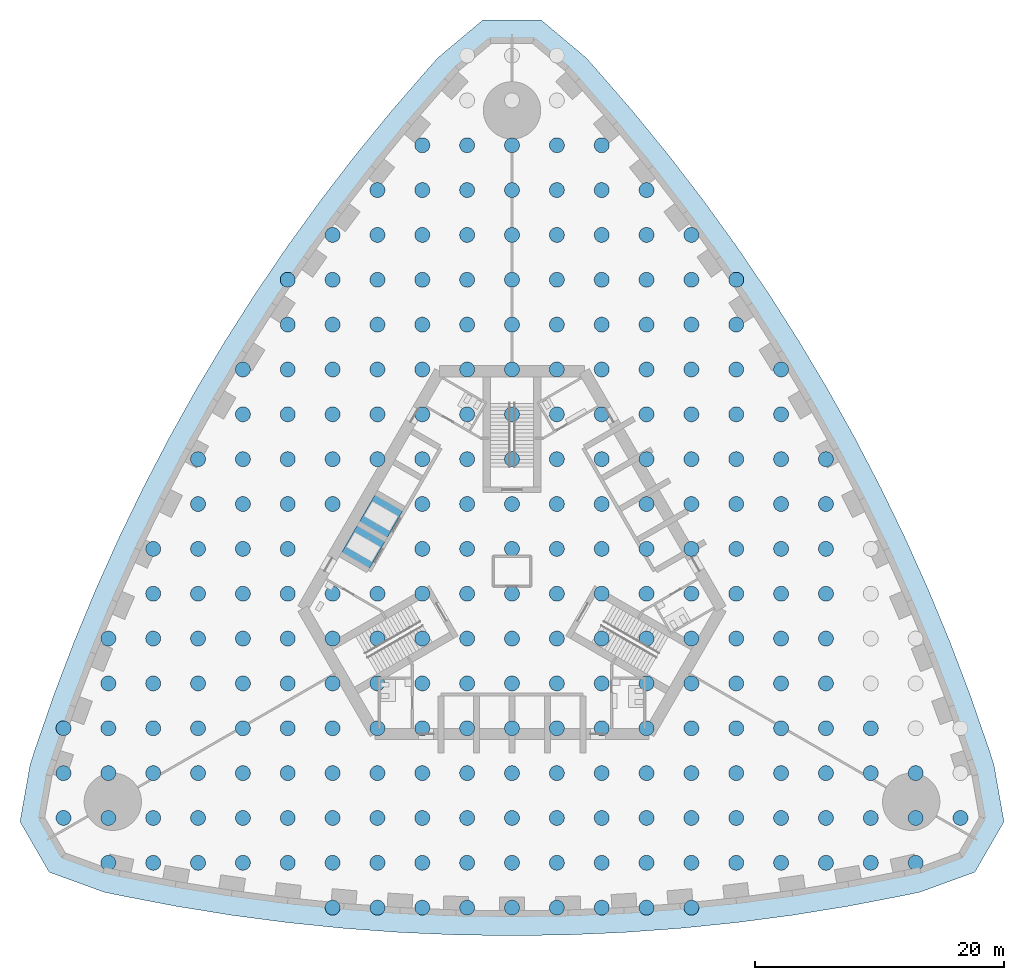
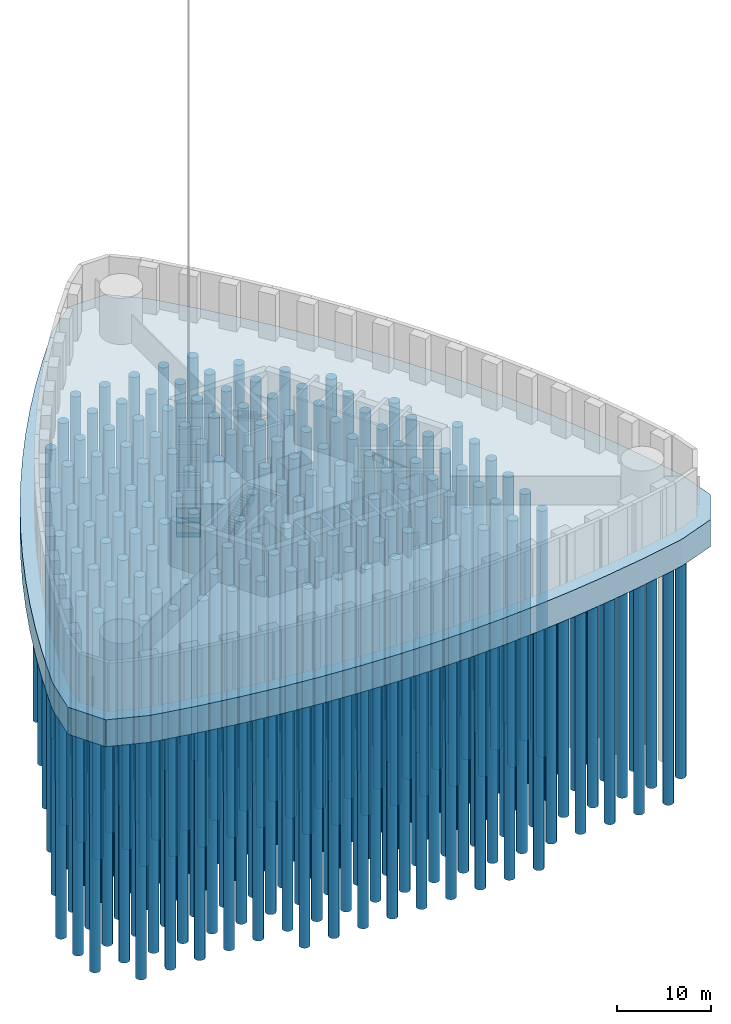
# One storey, part 1 of 12: 250 piles, 3 footings.
"""IFC4 building model written with IfcOpenShell, lengths in metres."""

from ifc_helpers import new_model, si_unit, direction, frame, origin, origin_2d, place, context, subcontext, project, spatial, polyline, circle, outline, extrude, material, type_object, element, save


model = new_model("IFC4")

# Units and contexts
model_context = context("Model", 3, precision=1e-05, world=origin(), true_north=direction((0.0, 1.0)))
body_context = subcontext(model_context, "Body", "Model", "MODEL_VIEW")
ifc_project = project(units=[si_unit("LENGTHUNIT", "METRE"), si_unit("AREAUNIT", "SQUARE_METRE"), si_unit("VOLUMEUNIT", "CUBIC_METRE"), si_unit("PLANEANGLEUNIT", "RADIAN"), si_unit("MASSUNIT", "GRAM", prefix="KILO")], contexts=[model_context])

# Site, building, storey
site_placement = place(None, origin())
site = spatial("IfcSite", under=ifc_project, at=site_placement, CompositionType="ELEMENT")
building_placement = place(site_placement, origin())
building = spatial("IfcBuilding", under=site, at=building_placement, Name="Trefoil Bronze Tower", CompositionType="ELEMENT")
storey_placement = place(building_placement, frame((0.0, 0.0, -6.0)))
storey = spatial("IfcBuildingStorey", under=building, at=storey_placement, Name="B1", CompositionType="ELEMENT", Elevation=-6.0)

# Piles
ifc_material_1 = material(Name="Concrete B40", Category="concrete")
pile_type = type_object("IfcPileType", Name="Bored pile D1200", PredefinedType="BORED", material=ifc_material_1)
for number, where, z_axis, x_axis, name in (
    (1, (-14.39990234375, -27.0, -3.800048828125), (0.0, 0.0, -1.0), (1.0, 0.0, 0.0), "Bored pile 1"),
    (2, (-10.800048828125, -27.0, -3.800048828125), (0.0, 0.0, -1.0), (1.0, 0.0, 0.0), "Bored pile 2"),
    (3, (-7.199951171875, -27.0, -3.800048828125), (0.0, 0.0, -1.0), (1.0, 0.0, 0.0), "Bored pile 3"),
    (4, (-3.60009765625, -27.0, -3.800048828125), (0.0, 0.0, -1.0), (1.0, 0.0, 0.0), "Bored pile 4"),
    (5, (0.0, -27.0, -3.800048828125), (0.0, 0.0, -1.0), (1.0, 0.0, 0.0), "Bored pile 5"),
    (6, (3.60009765625, -27.0, -3.800048828125), (0.0, 0.0, -1.0), (1.0, 0.0, 0.0), "Bored pile 6"),
    (7, (7.199951171875, -27.0, -3.800048828125), (0.0, 0.0, -1.0), (1.0, 0.0, 0.0), "Bored pile 7"),
    (8, (10.800048828125, -27.0, -3.800048828125), (0.0, 0.0, -1.0), (1.0, 0.0, 0.0), "Bored pile 8"),
    (9, (14.39990234375, -27.0, -3.800048828125), (0.0, 0.0, -1.0), (1.0, 0.0, 0.0), "Bored pile 9"),
    (10, (-32.39990234375, -23.39990234375, -3.800048828125), (0.0, 0.0, -1.0), (1.0, 0.0, 0.0), "Bored pile 10"),
    (11, (-28.800048828125, -23.39990234375, -3.800048828125), (0.0, 0.0, -1.0), (1.0, 0.0, 0.0), "Bored pile 11"),
    (12, (-25.199951171875, -23.39990234375, -3.800048828125), (0.0, 0.0, -1.0), (1.0, 0.0, 0.0), "Bored pile 12"),
    (13, (-21.60009765625, -23.39990234375, -3.800048828125), (0.0, 0.0, -1.0), (1.0, 0.0, 0.0), "Bored pile 13"),
    (14, (-18.0, -23.39990234375, -3.800048828125), (0.0, 0.0, -1.0), (1.0, 0.0, 0.0), "Bored pile 14"),
    (15, (-14.39990234375, -23.39990234375, -3.800048828125), (0.0, 0.0, -1.0), (1.0, 0.0, 0.0), "Bored pile 15"),
    (16, (-10.800048828125, -23.39990234375, -3.800048828125), (0.0, 0.0, -1.0), (1.0, 0.0, 0.0), "Bored pile 16"),
    (17, (-7.199951171875, -23.39990234375, -3.800048828125), (0.0, 0.0, -1.0), (1.0, 0.0, 0.0), "Bored pile 17"),
    (18, (-3.60009765625, -23.39990234375, -3.800048828125), (0.0, 0.0, -1.0), (1.0, 0.0, 0.0), "Bored pile 18"),
    (19, (0.0, -23.39990234375, -3.800048828125), (0.0, 0.0, -1.0), (1.0, 0.0, 0.0), "Bored pile 19"),
    (20, (3.60009765625, -23.39990234375, -3.800048828125), (0.0, 0.0, -1.0), (1.0, 0.0, 0.0), "Bored pile 20"),
    (21, (7.199951171875, -23.39990234375, -3.800048828125), (0.0, 0.0, -1.0), (1.0, 0.0, 0.0), "Bored pile 21"),
    (22, (10.800048828125, -23.39990234375, -3.800048828125), (0.0, 0.0, -1.0), (1.0, 0.0, 0.0), "Bored pile 22"),
    (23, (14.39990234375, -23.39990234375, -3.800048828125), (0.0, 0.0, -1.0), (1.0, 0.0, 0.0), "Bored pile 23"),
    (24, (18.0, -23.39990234375, -3.800048828125), (0.0, 0.0, -1.0), (1.0, 0.0, 0.0), "Bored pile 24"),
    (25, (21.60009765625, -23.39990234375, -3.800048828125), (0.0, 0.0, -1.0), (1.0, 0.0, 0.0), "Bored pile 25"),
    (26, (25.199951171875, -23.39990234375, -3.800048828125), (0.0, 0.0, -1.0), (1.0, 0.0, 0.0), "Bored pile 26"),
    (27, (28.800048828125, -23.39990234375, -3.800048828125), (0.0, 0.0, -1.0), (1.0, 0.0, 0.0), "Bored pile 27"),
    (28, (32.39990234375, -23.39990234375, -3.800048828125), (0.0, 0.0, -1.0), (1.0, 0.0, 0.0), "Bored pile 28"),
    (29, (-36.0, -19.800048828125, -3.800048828125), (0.0, 0.0, -1.0), (1.0, 0.0, 0.0), "Bored pile 29"),
    (30, (-32.39990234375, -19.800048828125, -3.800048828125), (0.0, 0.0, -1.0), (1.0, 0.0, 0.0), "Bored pile 30"),
    (31, (-28.800048828125, -19.800048828125, -3.800048828125), (0.0, 0.0, -1.0), (1.0, 0.0, 0.0), "Bored pile 31"),
    (32, (-25.199951171875, -19.800048828125, -3.800048828125), (0.0, 0.0, -1.0), (1.0, 0.0, 0.0), "Bored pile 32"),
    (33, (-21.60009765625, -19.800048828125, -3.800048828125), (0.0, 0.0, -1.0), (1.0, 0.0, 0.0), "Bored pile 33"),
    (34, (-18.0, -19.800048828125, -3.800048828125), (0.0, 0.0, -1.0), (1.0, 0.0, 0.0), "Bored pile 34"),
    (35, (-14.39990234375, -19.800048828125, -3.800048828125), (0.0, 0.0, -1.0), (1.0, 0.0, 0.0), "Bored pile 35"),
    (36, (-10.800048828125, -19.800048828125, -3.800048828125), (0.0, 0.0, -1.0), (1.0, 0.0, 0.0), "Bored pile 36"),
    (37, (-7.199951171875, -19.800048828125, -3.800048828125), (0.0, 0.0, -1.0), (1.0, 0.0, 0.0), "Bored pile 37"),
    (38, (-3.60009765625, -19.800048828125, -3.800048828125), (0.0, 0.0, -1.0), (1.0, 0.0, 0.0), "Bored pile 38"),
    (39, (0.0, -19.800048828125, -3.800048828125), (0.0, 0.0, -1.0), (1.0, 0.0, 0.0), "Bored pile 39"),
    (40, (3.60009765625, -19.800048828125, -3.800048828125), (0.0, 0.0, -1.0), (1.0, 0.0, 0.0), "Bored pile 40"),
    (41, (7.199951171875, -19.800048828125, -3.800048828125), (0.0, 0.0, -1.0), (1.0, 0.0, 0.0), "Bored pile 41"),
    (42, (10.800048828125, -19.800048828125, -3.800048828125), (0.0, 0.0, -1.0), (1.0, 0.0, 0.0), "Bored pile 42"),
    (43, (14.39990234375, -19.800048828125, -3.800048828125), (0.0, 0.0, -1.0), (1.0, 0.0, 0.0), "Bored pile 43"),
    (44, (18.0, -19.800048828125, -3.800048828125), (0.0, 0.0, -1.0), (1.0, 0.0, 0.0), "Bored pile 44"),
    (45, (21.60009765625, -19.800048828125, -3.800048828125), (0.0, 0.0, -1.0), (1.0, 0.0, 0.0), "Bored pile 45"),
    (46, (25.199951171875, -19.800048828125, -3.800048828125), (0.0, 0.0, -1.0), (1.0, 0.0, 0.0), "Bored pile 46"),
    (47, (28.800048828125, -19.800048828125, -3.800048828125), (0.0, 0.0, -1.0), (1.0, 0.0, 0.0), "Bored pile 47"),
    (48, (32.39990234375, -19.800048828125, -3.800048828125), (0.0, 0.0, -1.0), (1.0, 0.0, 0.0), "Bored pile 48"),
    (49, (36.0, -19.800048828125, -3.800048828125), (0.0, 0.0, -1.0), (1.0, 0.0, 0.0), "Bored pile 49"),
    (50, (-36.0, -16.199951171875, -3.800048828125), (0.0, 0.0, -1.0), (1.0, 0.0, 0.0), "Bored pile 50"),
    (51, (-32.39990234375, -16.199951171875, -3.800048828125), (0.0, 0.0, -1.0), (1.0, 0.0, 0.0), "Bored pile 51"),
    (52, (-28.800048828125, -16.199951171875, -3.800048828125), (0.0, 0.0, -1.0), (1.0, 0.0, 0.0), "Bored pile 52"),
    (53, (-25.199951171875, -16.199951171875, -3.800048828125), (0.0, 0.0, -1.0), (1.0, 0.0, 0.0), "Bored pile 53"),
    (54, (-21.60009765625, -16.199951171875, -3.800048828125), (0.0, 0.0, -1.0), (1.0, 0.0, 0.0), "Bored pile 54"),
    (55, (-18.0, -16.199951171875, -3.800048828125), (0.0, 0.0, -1.0), (1.0, 0.0, 0.0), "Bored pile 55"),
    (56, (-14.39990234375, -16.199951171875, -3.800048828125), (0.0, 0.0, -1.0), (1.0, 0.0, 0.0), "Bored pile 56"),
    (57, (-10.800048828125, -16.199951171875, -3.800048828125), (0.0, 0.0, -1.0), (1.0, 0.0, 0.0), "Bored pile 57"),
    (58, (-7.199951171875, -16.199951171875, -3.800048828125), (0.0, 0.0, -1.0), (1.0, 0.0, 0.0), "Bored pile 58"),
    (59, (-3.60009765625, -16.199951171875, -3.800048828125), (0.0, 0.0, -1.0), (1.0, 0.0, 0.0), "Bored pile 59"),
    (60, (0.0, -16.199951171875, -3.800048828125), (0.0, 0.0, -1.0), (1.0, 0.0, 0.0), "Bored pile 60"),
    (61, (3.60009765625, -16.199951171875, -3.800048828125), (0.0, 0.0, -1.0), (1.0, 0.0, 0.0), "Bored pile 61"),
    (62, (7.199951171875, -16.199951171875, -3.800048828125), (0.0, 0.0, -1.0), (1.0, 0.0, 0.0), "Bored pile 62"),
    (63, (10.800048828125, -16.199951171875, -3.800048828125), (0.0, 0.0, -1.0), (1.0, 0.0, 0.0), "Bored pile 63"),
    (64, (14.39990234375, -16.199951171875, -3.800048828125), (0.0, 0.0, -1.0), (1.0, 0.0, 0.0), "Bored pile 64"),
    (65, (18.0, -16.199951171875, -3.800048828125), (0.0, 0.0, -1.0), (1.0, 0.0, 0.0), "Bored pile 65"),
    (66, (21.60009765625, -16.199951171875, -3.800048828125), (0.0, 0.0, -1.0), (1.0, 0.0, 0.0), "Bored pile 66"),
    (67, (25.199951171875, -16.199951171875, -3.800048828125), (0.0, 0.0, -1.0), (1.0, 0.0, 0.0), "Bored pile 67"),
    (68, (28.800048828125, -16.199951171875, -3.800048828125), (0.0, 0.0, -1.0), (1.0, 0.0, 0.0), "Bored pile 68"),
    (69, (32.39990234375, -16.199951171875, -3.800048828125), (0.0, 0.0, -1.0), (1.0, 0.0, 0.0), "Bored pile 69"),
    (70, (-36.0, -12.60009765625, -3.800048828125), (0.0, 0.0, -1.0), (1.0, 0.0, 0.0), "Bored pile 71"),
    (71, (-32.39990234375, -12.60009765625, -3.800048828125), (0.0, 0.0, -1.0), (1.0, 0.0, 0.0), "Bored pile 72"),
    (72, (-28.800048828125, -12.60009765625, -3.800048828125), (0.0, 0.0, -1.0), (1.0, 0.0, 0.0), "Bored pile 73"),
    (73, (-25.199951171875, -12.60009765625, -3.800048828125), (0.0, 0.0, -1.0), (1.0, 0.0, 0.0), "Bored pile 74"),
    (74, (-21.60009765625, -12.60009765625, -3.800048828125), (0.0, 0.0, -1.0), (1.0, 0.0, 0.0), "Bored pile 75"),
    (75, (-18.0, -12.60009765625, -3.800048828125), (0.0, 0.0, -1.0), (1.0, 0.0, 0.0), "Bored pile 76"),
    (76, (-14.39990234375, -12.60009765625, -3.800048828125), (0.0, 0.0, -1.0), (1.0, 0.0, 0.0), "Bored pile 77"),
    (77, (-10.800048828125, -12.60009765625, -3.800048828125), (0.0, 0.0, -1.0), (1.0, 0.0, 0.0), "Bored pile 78"),
    (78, (-7.199951171875, -12.60009765625, -3.800048828125), (0.0, 0.0, -1.0), (1.0, 0.0, 0.0), "Bored pile 79"),
    (79, (-3.60009765625, -12.60009765625, -3.800048828125), (0.0, 0.0, -1.0), (1.0, 0.0, 0.0), "Bored pile 80"),
    (80, (0.0, -12.60009765625, -3.800048828125), (0.0, 0.0, -1.0), (1.0, 0.0, 0.0), "Bored pile 81"),
    (81, (3.60009765625, -12.60009765625, -3.800048828125), (0.0, 0.0, -1.0), (1.0, 0.0, 0.0), "Bored pile 82"),
    (82, (7.199951171875, -12.60009765625, -3.800048828125), (0.0, 0.0, -1.0), (1.0, 0.0, 0.0), "Bored pile 83"),
    (83, (10.800048828125, -12.60009765625, -3.800048828125), (0.0, 0.0, -1.0), (1.0, 0.0, 0.0), "Bored pile 84"),
    (84, (14.39990234375, -12.60009765625, -3.800048828125), (0.0, 0.0, -1.0), (1.0, 0.0, 0.0), "Bored pile 85"),
    (85, (18.0, -12.60009765625, -3.800048828125), (0.0, 0.0, -1.0), (1.0, 0.0, 0.0), "Bored pile 86"),
    (86, (21.60009765625, -12.60009765625, -3.800048828125), (0.0, 0.0, -1.0), (1.0, 0.0, 0.0), "Bored pile 87"),
    (87, (25.199951171875, -12.60009765625, -3.800048828125), (0.0, 0.0, -1.0), (1.0, 0.0, 0.0), "Bored pile 88"),
    (88, (28.800048828125, -12.60009765625, -3.800048828125), (0.0, 0.0, -1.0), (1.0, 0.0, 0.0), "Bored pile 89"),
    (89, (-32.39990234375, -9.0, -3.800048828125), (0.0, 0.0, -1.0), (1.0, 0.0, 0.0), "Bored pile 92"),
    (90, (-28.800048828125, -9.0, -3.800048828125), (0.0, 0.0, -1.0), (1.0, 0.0, 0.0), "Bored pile 93"),
    (91, (-25.199951171875, -9.0, -3.800048828125), (0.0, 0.0, -1.0), (1.0, 0.0, 0.0), "Bored pile 94"),
    (92, (-21.60009765625, -9.0, -3.800048828125), (0.0, 0.0, -1.0), (1.0, 0.0, 0.0), "Bored pile 95"),
    (93, (-18.0, -9.0, -3.800048828125), (0.0, 0.0, -1.0), (1.0, 0.0, 0.0), "Bored pile 96"),
    (94, (-14.39990234375, -9.0, -3.800048828125), (0.0, 0.0, -1.0), (1.0, 0.0, 0.0), "Bored pile 97"),
    (95, (-10.800048828125, -9.0, -3.800048828125), (0.0, 0.0, -1.0), (1.0, 0.0, 0.0), "Bored pile 98"),
    (96, (-7.199951171875, -9.0, -3.800048828125), (0.0, 0.0, -1.0), (1.0, 0.0, 0.0), "Bored pile 99"),
    (97, (-3.60009765625, -9.0, -3.800048828125), (0.0, 0.0, -1.0), (1.0, 0.0, 0.0), "Bored pile 100"),
    (98, (0.0, -9.0, -3.800048828125), (0.0, 0.0, -1.0), (1.0, 0.0, 0.0), "Bored pile 101"),
    (99, (3.60009765625, -9.0, -3.800048828125), (0.0, 0.0, -1.0), (1.0, 0.0, 0.0), "Bored pile 102"),
    (100, (7.199951171875, -9.0, -3.800048828125), (0.0, 0.0, -1.0), (1.0, 0.0, 0.0), "Bored pile 103"),
    (101, (10.800048828125, -9.0, -3.800048828125), (0.0, 0.0, -1.0), (1.0, 0.0, 0.0), "Bored pile 104"),
    (102, (14.39990234375, -9.0, -3.800048828125), (0.0, 0.0, -1.0), (1.0, 0.0, 0.0), "Bored pile 105"),
    (103, (18.0, -9.0, -3.800048828125), (0.0, 0.0, -1.0), (1.0, 0.0, 0.0), "Bored pile 106"),
    (104, (21.60009765625, -9.0, -3.800048828125), (0.0, 0.0, -1.0), (1.0, 0.0, 0.0), "Bored pile 107"),
    (105, (25.199951171875, -9.0, -3.800048828125), (0.0, 0.0, -1.0), (1.0, 0.0, 0.0), "Bored pile 108"),
    (106, (-32.39990234375, -5.39990234375, -3.800048828125), (0.0, 0.0, -1.0), (1.0, 0.0, 0.0), "Bored pile 111"),
    (107, (-28.800048828125, -5.39990234375, -3.800048828125), (0.0, 0.0, -1.0), (1.0, 0.0, 0.0), "Bored pile 112"),
    (108, (-25.199951171875, -5.39990234375, -3.800048828125), (0.0, 0.0, -1.0), (1.0, 0.0, 0.0), "Bored pile 113"),
    (109, (-21.60009765625, -5.39990234375, -3.800048828125), (0.0, 0.0, -1.0), (1.0, 0.0, 0.0), "Bored pile 114"),
    (110, (-18.0, -5.39990234375, -3.800048828125), (0.0, 0.0, -1.0), (1.0, 0.0, 0.0), "Bored pile 115"),
    (111, (-14.39990234375, -5.39990234375, -3.800048828125), (0.0, 0.0, -1.0), (1.0, 0.0, 0.0), "Bored pile 116"),
    (112, (-10.800048828125, -5.39990234375, -3.800048828125), (0.0, 0.0, -1.0), (1.0, 0.0, 0.0), "Bored pile 117"),
    (113, (-7.199951171875, -5.39990234375, -3.800048828125), (0.0, 0.0, -1.0), (1.0, 0.0, 0.0), "Bored pile 118"),
    (114, (-3.60009765625, -5.39990234375, -3.800048828125), (0.0, 0.0, -1.0), (1.0, 0.0, 0.0), "Bored pile 119"),
    (115, (0.0, -5.39990234375, -3.800048828125), (0.0, 0.0, -1.0), (1.0, 0.0, 0.0), "Bored pile 120"),
    (116, (3.60009765625, -5.39990234375, -3.800048828125), (0.0, 0.0, -1.0), (1.0, 0.0, 0.0), "Bored pile 121"),
    (117, (7.199951171875, -5.39990234375, -3.800048828125), (0.0, 0.0, -1.0), (1.0, 0.0, 0.0), "Bored pile 122"),
    (118, (10.800048828125, -5.39990234375, -3.800048828125), (0.0, 0.0, -1.0), (1.0, 0.0, 0.0), "Bored pile 123"),
    (119, (14.39990234375, -5.39990234375, -3.800048828125), (0.0, 0.0, -1.0), (1.0, 0.0, 0.0), "Bored pile 124"),
    (120, (18.0, -5.39990234375, -3.800048828125), (0.0, 0.0, -1.0), (1.0, 0.0, 0.0), "Bored pile 125"),
    (121, (21.60009765625, -5.39990234375, -3.800048828125), (0.0, 0.0, -1.0), (1.0, 0.0, 0.0), "Bored pile 126"),
    (122, (25.199951171875, -5.39990234375, -3.800048828125), (0.0, 0.0, -1.0), (1.0, 0.0, 0.0), "Bored pile 127"),
    (123, (-28.800048828125, -1.800048828125, -3.800048828125), (0.0, 0.0, -1.0), (1.0, 0.0, 0.0), "Bored pile 130"),
    (124, (-25.199951171875, -1.800048828125, -3.800048828125), (0.0, 0.0, -1.0), (1.0, 0.0, 0.0), "Bored pile 131"),
    (125, (-21.60009765625, -1.800048828125, -3.800048828125), (0.0, 0.0, -1.0), (1.0, 0.0, 0.0), "Bored pile 132"),
    (126, (-18.0, -1.800048828125, -3.800048828125), (0.0, 0.0, -1.0), (1.0, 0.0, 0.0), "Bored pile 133"),
    (127, (-14.39990234375, -1.800048828125, -3.800048828125), (0.0, 0.0, -1.0), (1.0, 0.0, 0.0), "Bored pile 134"),
    (128, (-10.800048828125, -1.800048828125, -3.800048828125), (0.0, 0.0, -1.0), (1.0, 0.0, 0.0), "Bored pile 135"),
    (129, (-7.199951171875, -1.800048828125, -3.800048828125), (0.0, 0.0, -1.0), (1.0, 0.0, 0.0), "Bored pile 136"),
    (130, (-3.60009765625, -1.800048828125, -3.800048828125), (0.0, 0.0, -1.0), (1.0, 0.0, 0.0), "Bored pile 137"),
    (131, (0.0, -1.800048828125, -3.800048828125), (0.0, 0.0, -1.0), (1.0, 0.0, 0.0), "Bored pile 138"),
    (132, (3.60009765625, -1.800048828125, -3.800048828125), (0.0, 0.0, -1.0), (1.0, 0.0, 0.0), "Bored pile 139"),
    (133, (7.199951171875, -1.800048828125, -3.800048828125), (0.0, 0.0, -1.0), (1.0, 0.0, 0.0), "Bored pile 140"),
    (134, (10.800048828125, -1.800048828125, -3.800048828125), (0.0, 0.0, -1.0), (1.0, 0.0, 0.0), "Bored pile 141"),
    (135, (14.39990234375, -1.800048828125, -3.800048828125), (0.0, 0.0, -1.0), (1.0, 0.0, 0.0), "Bored pile 142"),
    (136, (18.0, -1.800048828125, -3.800048828125), (0.0, 0.0, -1.0), (1.0, 0.0, 0.0), "Bored pile 143"),
    (137, (21.60009765625, -1.800048828125, -3.800048828125), (0.0, 0.0, -1.0), (1.0, 0.0, 0.0), "Bored pile 144"),
    (138, (25.199951171875, -1.800048828125, -3.800048828125), (0.0, 0.0, -1.0), (1.0, 0.0, 0.0), "Bored pile 145"),
    (139, (-28.800048828125, 1.800048828125, -3.800048828125), (0.0, 0.0, -1.0), (1.0, 0.0, 0.0), "Bored pile 147"),
    (140, (-25.199951171875, 1.800048828125, -3.800048828125), (0.0, 0.0, -1.0), (1.0, 0.0, 0.0), "Bored pile 148"),
    (141, (-21.60009765625, 1.800048828125, -3.800048828125), (0.0, 0.0, -1.0), (1.0, 0.0, 0.0), "Bored pile 149"),
    (142, (-18.0, 1.800048828125, -3.800048828125), (0.0, 0.0, -1.0), (1.0, 0.0, 0.0), "Bored pile 150"),
    (143, (-7.199951171875, 1.800048828125, -3.800048828125), (0.0, 0.0, -1.0), (1.0, 0.0, 0.0), "Bored pile 151"),
    (144, (-3.60009765625, 1.800048828125, -3.800048828125), (0.0, 0.0, -1.0), (1.0, 0.0, 0.0), "Bored pile 152"),
    (145, (0.0, 1.800048828125, -3.800048828125), (0.0, 0.0, -1.0), (1.0, 0.0, 0.0), "Bored pile 153"),
    (146, (3.60009765625, 1.800048828125, -3.800048828125), (0.0, 0.0, -1.0), (1.0, 0.0, 0.0), "Bored pile 154"),
    (147, (7.199951171875, 1.800048828125, -3.800048828125), (0.0, 0.0, -1.0), (1.0, 0.0, 0.0), "Bored pile 155"),
    (148, (10.800048828125, 1.800048828125, -3.800048828125), (0.0, 0.0, -1.0), (1.0, 0.0, 0.0), "Bored pile 156"),
    (149, (14.39990234375, 1.800048828125, -3.800048828125), (0.0, 0.0, -1.0), (1.0, 0.0, 0.0), "Bored pile 157"),
    (150, (18.0, 1.800048828125, -3.800048828125), (0.0, 0.0, -1.0), (1.0, 0.0, 0.0), "Bored pile 158"),
    (151, (21.60009765625, 1.800048828125, -3.800048828125), (0.0, 0.0, -1.0), (1.0, 0.0, 0.0), "Bored pile 159"),
    (152, (25.199951171875, 1.800048828125, -3.800048828125), (0.0, 0.0, -1.0), (1.0, 0.0, 0.0), "Bored pile 160"),
    (153, (-25.199951171875, 5.39990234375, -3.800048828125), (0.0, 0.0, -1.0), (1.0, 0.0, 0.0), "Bored pile 162"),
    (154, (-21.60009765625, 5.39990234375, -3.800048828125), (0.0, 0.0, -1.0), (1.0, 0.0, 0.0), "Bored pile 163"),
    (155, (-18.0, 5.39990234375, -3.800048828125), (0.0, 0.0, -1.0), (1.0, 0.0, 0.0), "Bored pile 164"),
    (156, (-14.39990234375, 5.39990234375, -3.800048828125), (0.0, 0.0, -1.0), (1.0, 0.0, 0.0), "Bored pile 165"),
    (157, (-7.199951171875, 5.39990234375, -3.800048828125), (0.0, 0.0, -1.0), (1.0, 0.0, 0.0), "Bored pile 166"),
    (158, (-3.60009765625, 5.39990234375, -3.800048828125), (0.0, 0.0, -1.0), (1.0, 0.0, 0.0), "Bored pile 167"),
    (159, (0.0, 5.39990234375, -3.800048828125), (0.0, 0.0, -1.0), (1.0, 0.0, 0.0), "Bored pile 168"),
    (160, (3.60009765625, 5.39990234375, -3.800048828125), (0.0, 0.0, -1.0), (1.0, 0.0, 0.0), "Bored pile 169"),
    (161, (7.199951171875, 5.39990234375, -3.800048828125), (0.0, 0.0, -1.0), (1.0, 0.0, 0.0), "Bored pile 170"),
    (162, (10.800048828125, 5.39990234375, -3.800048828125), (0.0, 0.0, -1.0), (1.0, 0.0, 0.0), "Bored pile 171"),
    (163, (14.39990234375, 5.39990234375, -3.800048828125), (0.0, 0.0, -1.0), (1.0, 0.0, 0.0), "Bored pile 172"),
    (164, (18.0, 5.39990234375, -3.800048828125), (0.0, 0.0, -1.0), (1.0, 0.0, 0.0), "Bored pile 173"),
    (165, (21.60009765625, 5.39990234375, -3.800048828125), (0.0, 0.0, -1.0), (1.0, 0.0, 0.0), "Bored pile 174"),
    (166, (25.199951171875, 5.39990234375, -3.800048828125), (0.0, 0.0, -1.0), (1.0, 0.0, 0.0), "Bored pile 175"),
    (167, (-25.199951171875, 9.0, -3.800048828125), (0.0, 0.0, -1.0), (1.0, 0.0, 0.0), "Bored pile 176"),
    (168, (-21.60009765625, 9.0, -3.800048828125), (0.0, 0.0, -1.0), (1.0, 0.0, 0.0), "Bored pile 177"),
    (169, (-18.0, 9.0, -3.800048828125), (0.0, 0.0, -1.0), (1.0, 0.0, 0.0), "Bored pile 178"),
    (170, (-14.39990234375, 9.0, -3.800048828125), (0.0, 0.0, -1.0), (1.0, 0.0, 0.0), "Bored pile 179"),
    (171, (-10.800048828125, 9.0, -3.800048828125), (0.0, 0.0, -1.0), (1.0, 0.0, 0.0), "Bored pile 180"),
    (172, (-7.199951171875, 9.0, -3.800048828125), (0.0, 0.0, -1.0), (1.0, 0.0, 0.0), "Bored pile 181"),
    (173, (-3.60009765625, 9.0, -3.800048828125), (0.0, 0.0, -1.0), (1.0, 0.0, 0.0), "Bored pile 182"),
    (174, (0.0, 9.0, -3.800048828125), (0.0, 0.0, -1.0), (1.0, 0.0, 0.0), "Bored pile 183"),
    (175, (3.60009765625, 9.0, -3.800048828125), (0.0, 0.0, -1.0), (1.0, 0.0, 0.0), "Bored pile 184"),
    (176, (7.199951171875, 9.0, -3.800048828125), (0.0, 0.0, -1.0), (1.0, 0.0, 0.0), "Bored pile 185"),
    (177, (10.800048828125, 9.0, -3.800048828125), (0.0, 0.0, -1.0), (1.0, 0.0, 0.0), "Bored pile 186"),
    (178, (14.39990234375, 9.0, -3.800048828125), (0.0, 0.0, -1.0), (1.0, 0.0, 0.0), "Bored pile 187"),
    (179, (18.0, 9.0, -3.800048828125), (0.0, 0.0, -1.0), (1.0, 0.0, 0.0), "Bored pile 188"),
    (180, (21.60009765625, 9.0, -3.800048828125), (0.0, 0.0, -1.0), (1.0, 0.0, 0.0), "Bored pile 189"),
    (181, (25.199951171875, 9.0, -3.800048828125), (0.0, 0.0, -1.0), (1.0, 0.0, 0.0), "Bored pile 190"),
    (182, (-21.60009765625, 12.60009765625, -3.800048828125), (0.0, 0.0, -1.0), (1.0, 0.0, 0.0), "Bored pile 191"),
    (183, (-18.0, 12.60009765625, -3.800048828125), (0.0, 0.0, -1.0), (1.0, 0.0, 0.0), "Bored pile 192"),
    (184, (-14.39990234375, 12.60009765625, -3.800048828125), (0.0, 0.0, -1.0), (1.0, 0.0, 0.0), "Bored pile 193"),
    (185, (-10.800048828125, 12.60009765625, -3.800048828125), (0.0, 0.0, -1.0), (1.0, 0.0, 0.0), "Bored pile 194"),
    (186, (-7.199951171875, 12.60009765625, -3.800048828125), (0.0, 0.0, -1.0), (1.0, 0.0, 0.0), "Bored pile 195"),
    (187, (-3.60009765625, 12.60009765625, -3.800048828125), (0.0, 0.0, -1.0), (1.0, 0.0, 0.0), "Bored pile 196"),
    (188, (0.0, 12.60009765625, -3.800048828125), (0.0, 0.0, -1.0), (1.0, 0.0, 0.0), "Bored pile 197"),
    (189, (3.60009765625, 12.60009765625, -3.800048828125), (0.0, 0.0, -1.0), (1.0, 0.0, 0.0), "Bored pile 198"),
    (190, (7.199951171875, 12.60009765625, -3.800048828125), (0.0, 0.0, -1.0), (1.0, 0.0, 0.0), "Bored pile 199"),
    (191, (10.800048828125, 12.60009765625, -3.800048828125), (0.0, 0.0, -1.0), (1.0, 0.0, 0.0), "Bored pile 200"),
    (192, (14.39990234375, 12.60009765625, -3.800048828125), (0.0, 0.0, -1.0), (1.0, 0.0, 0.0), "Bored pile 201"),
    (193, (18.0, 12.60009765625, -3.800048828125), (0.0, 0.0, -1.0), (1.0, 0.0, 0.0), "Bored pile 202"),
    (194, (21.60009765625, 12.60009765625, -3.800048828125), (0.0, 0.0, -1.0), (1.0, 0.0, 0.0), "Bored pile 203"),
    (195, (-21.60009765625, 16.199951171875, -3.800048828125), (0.0, 0.0, -1.0), (1.0, 0.0, 0.0), "Bored pile 204"),
    (196, (-18.0, 16.199951171875, -3.800048828125), (0.0, 0.0, -1.0), (1.0, 0.0, 0.0), "Bored pile 205"),
    (197, (-14.39990234375, 16.199951171875, -3.800048828125), (0.0, 0.0, -1.0), (1.0, 0.0, 0.0), "Bored pile 206"),
    (198, (-10.800048828125, 16.199951171875, -3.800048828125), (0.0, 0.0, -1.0), (1.0, 0.0, 0.0), "Bored pile 207"),
    (199, (-7.199951171875, 16.199951171875, -3.800048828125), (0.0, 0.0, -1.0), (1.0, 0.0, 0.0), "Bored pile 208"),
    (200, (-3.60009765625, 16.199951171875, -3.800048828125), (0.0, 0.0, -1.0), (1.0, 0.0, 0.0), "Bored pile 209"),
    (201, (0.0, 16.199951171875, -3.800048828125), (0.0, 0.0, -1.0), (1.0, 0.0, 0.0), "Bored pile 210"),
    (202, (3.60009765625, 16.199951171875, -3.800048828125), (0.0, 0.0, -1.0), (1.0, 0.0, 0.0), "Bored pile 211"),
    (203, (7.199951171875, 16.199951171875, -3.800048828125), (0.0, 0.0, -1.0), (1.0, 0.0, 0.0), "Bored pile 212"),
    (204, (10.800048828125, 16.199951171875, -3.800048828125), (0.0, 0.0, -1.0), (1.0, 0.0, 0.0), "Bored pile 213"),
    (205, (14.39990234375, 16.199951171875, -3.800048828125), (0.0, 0.0, -1.0), (1.0, 0.0, 0.0), "Bored pile 214"),
    (206, (18.0, 16.199951171875, -3.800048828125), (0.0, 0.0, -1.0), (1.0, 0.0, 0.0), "Bored pile 215"),
    (207, (21.60009765625, 16.199951171875, -3.800048828125), (0.0, 0.0, -1.0), (1.0, 0.0, 0.0), "Bored pile 216"),
    (208, (-18.0, 19.800048828125, -3.800048828125), (0.0, 0.0, -1.0), (1.0, 0.0, 0.0), "Bored pile 217"),
    (209, (-14.39990234375, 19.800048828125, -3.800048828125), (0.0, 0.0, -1.0), (1.0, 0.0, 0.0), "Bored pile 218"),
    (210, (-10.800048828125, 19.800048828125, -3.800048828125), (0.0, 0.0, -1.0), (1.0, 0.0, 0.0), "Bored pile 219"),
    (211, (-7.199951171875, 19.800048828125, -3.800048828125), (0.0, 0.0, -1.0), (1.0, 0.0, 0.0), "Bored pile 220"),
    (212, (-3.60009765625, 19.800048828125, -3.800048828125), (0.0, 0.0, -1.0), (1.0, 0.0, 0.0), "Bored pile 221"),
    (213, (0.0, 19.800048828125, -3.800048828125), (0.0, 0.0, -1.0), (1.0, 0.0, 0.0), "Bored pile 222"),
    (214, (3.60009765625, 19.800048828125, -3.800048828125), (0.0, 0.0, -1.0), (1.0, 0.0, 0.0), "Bored pile 223"),
    (215, (7.199951171875, 19.800048828125, -3.800048828125), (0.0, 0.0, -1.0), (1.0, 0.0, 0.0), "Bored pile 224"),
    (216, (10.800048828125, 19.800048828125, -3.800048828125), (0.0, 0.0, -1.0), (1.0, 0.0, 0.0), "Bored pile 225"),
    (217, (14.39990234375, 19.800048828125, -3.800048828125), (0.0, 0.0, -1.0), (1.0, 0.0, 0.0), "Bored pile 226"),
    (218, (18.0, 19.800048828125, -3.800048828125), (0.0, 0.0, -1.0), (1.0, 0.0, 0.0), "Bored pile 227"),
    (219, (-18.0, 23.39990234375, -3.800048828125), (0.0, 0.0, -1.0), (1.0, 0.0, 0.0), "Bored pile 228"),
    (220, (-14.39990234375, 23.39990234375, -3.800048828125), (0.0, 0.0, -1.0), (1.0, 0.0, 0.0), "Bored pile 229"),
    (221, (-10.800048828125, 23.39990234375, -3.800048828125), (0.0, 0.0, -1.0), (1.0, 0.0, 0.0), "Bored pile 230"),
    (222, (-7.199951171875, 23.39990234375, -3.800048828125), (0.0, 0.0, -1.0), (1.0, 0.0, 0.0), "Bored pile 231"),
    (223, (-3.60009765625, 23.39990234375, -3.800048828125), (0.0, 0.0, -1.0), (1.0, 0.0, 0.0), "Bored pile 232"),
    (224, (0.0, 23.39990234375, -3.800048828125), (0.0, 0.0, -1.0), (1.0, 0.0, 0.0), "Bored pile 233"),
    (225, (3.60009765625, 23.39990234375, -3.800048828125), (0.0, 0.0, -1.0), (1.0, 0.0, 0.0), "Bored pile 234"),
    (226, (7.199951171875, 23.39990234375, -3.800048828125), (0.0, 0.0, -1.0), (1.0, 0.0, 0.0), "Bored pile 235"),
    (227, (10.800048828125, 23.39990234375, -3.800048828125), (0.0, 0.0, -1.0), (1.0, 0.0, 0.0), "Bored pile 236"),
    (228, (14.39990234375, 23.39990234375, -3.800048828125), (0.0, 0.0, -1.0), (1.0, 0.0, 0.0), "Bored pile 237"),
    (229, (18.0, 23.39990234375, -3.800048828125), (0.0, 0.0, -1.0), (1.0, 0.0, 0.0), "Bored pile 238"),
    (230, (-14.39990234375, 27.0, -3.800048828125), (0.0, 0.0, -1.0), (1.0, 0.0, 0.0), "Bored pile 239"),
    (231, (-10.800048828125, 27.0, -3.800048828125), (0.0, 0.0, -1.0), (1.0, 0.0, 0.0), "Bored pile 240"),
    (232, (-7.199951171875, 27.0, -3.800048828125), (0.0, 0.0, -1.0), (1.0, 0.0, 0.0), "Bored pile 241"),
    (233, (-3.60009765625, 27.0, -3.800048828125), (0.0, 0.0, -1.0), (1.0, 0.0, 0.0), "Bored pile 242"),
    (234, (0.0, 27.0, -3.800048828125), (0.0, 0.0, -1.0), (1.0, 0.0, 0.0), "Bored pile 243"),
    (235, (3.60009765625, 27.0, -3.800048828125), (0.0, 0.0, -1.0), (1.0, 0.0, 0.0), "Bored pile 244"),
    (236, (7.199951171875, 27.0, -3.800048828125), (0.0, 0.0, -1.0), (1.0, 0.0, 0.0), "Bored pile 245"),
    (237, (10.800048828125, 27.0, -3.800048828125), (0.0, 0.0, -1.0), (1.0, 0.0, 0.0), "Bored pile 246"),
    (238, (14.39990234375, 27.0, -3.800048828125), (0.0, 0.0, -1.0), (1.0, 0.0, 0.0), "Bored pile 247"),
    (239, (-10.800048828125, 30.60009765625, -3.800048828125), (0.0, 0.0, -1.0), (1.0, 0.0, 0.0), "Bored pile 248"),
    (240, (-7.199951171875, 30.60009765625, -3.800048828125), (0.0, 0.0, -1.0), (1.0, 0.0, 0.0), "Bored pile 249"),
    (241, (-3.60009765625, 30.60009765625, -3.800048828125), (0.0, 0.0, -1.0), (1.0, 0.0, 0.0), "Bored pile 250"),
    (242, (0.0, 30.60009765625, -3.800048828125), (0.0, 0.0, -1.0), (1.0, 0.0, 0.0), "Bored pile 251"),
    (243, (3.60009765625, 30.60009765625, -3.800048828125), (0.0, 0.0, -1.0), (1.0, 0.0, 0.0), "Bored pile 252"),
    (244, (7.199951171875, 30.60009765625, -3.800048828125), (0.0, 0.0, -1.0), (1.0, 0.0, 0.0), "Bored pile 253"),
    (245, (10.800048828125, 30.60009765625, -3.800048828125), (0.0, 0.0, -1.0), (1.0, 0.0, 0.0), "Bored pile 254"),
    (246, (-7.199951171875, 34.199951171875, -3.800048828125), (0.0, 0.0, -1.0), (1.0, 0.0, 0.0), "Bored pile 255"),
    (247, (-3.60009765625, 34.199951171875, -3.800048828125), (0.0, 0.0, -1.0), (1.0, 0.0, 0.0), "Bored pile 256"),
    (248, (0.0, 34.199951171875, -3.800048828125), (0.0, 0.0, -1.0), (1.0, 0.0, 0.0), "Bored pile 257"),
    (249, (3.60009765625, 34.199951171875, -3.800048828125), (0.0, 0.0, -1.0), (1.0, 0.0, 0.0), "Bored pile 258"),
    (250, (7.199951171875, 34.199951171875, -3.800048828125), (0.0, 0.0, -1.0), (1.0, 0.0, 0.0), "Bored pile 259"),
):
    element("IfcPile", number, at=place(storey_placement, frame(where, z_axis=z_axis, x_axis=x_axis)), inside=storey, type_object=pile_type, Name=name, PredefinedType="BORED", context=body_context, shape_type="SweptSolid", body=[
        extrude(circle(Radius=0.60009765625, at=origin_2d()), origin(), (0.0, 0.0, 1.0), 32.0),
    ])

# Footings
ifc_material_2 = material(Name="Concrete B40", Category="concrete")
footing_type_1 = type_object("IfcFootingType", Name="Lift pit base 2200", PredefinedType="USERDEFINED", material=ifc_material_2)
footing_1_placement = place(storey_placement, frame((0.0, 0.0, -3.800048828125)))
element("IfcFooting", 251, at=footing_1_placement, inside=storey, type_object=footing_type_1, Name="Lift pit base, shaft C3", ObjectType="LIFT PIT BASE", PredefinedType="USERDEFINED", context=body_context, shape_type="SweptSolid", body=[
    extrude(outline(polyline([(-8.744384765625, 4.904296875), (-10.04443359375, 2.652587890625), (-12.2744140625, 3.940185546875), (-10.974365234375, 6.191650390625), (-8.744384765625, 4.904296875)])), origin(), (0.0, 0.0, 1.0), 2.199951171875),
])
footing_2_placement = place(storey_placement, frame((0.0, 0.0, -3.800048828125)))
element("IfcFooting", 252, at=footing_2_placement, inside=storey, type_object=footing_type_1, Name="Lift pit base, shaft C4", ObjectType="LIFT PIT BASE", PredefinedType="USERDEFINED", context=body_context, shape_type="SweptSolid", body=[
    extrude(outline(polyline([(-10.16943359375, 2.43603515625), (-11.469482421875, 0.184326171875), (-13.699462890625, 1.471923828125), (-12.3994140625, 3.7236328125), (-10.16943359375, 2.43603515625)])), origin(), (0.0, 0.0, 1.0), 2.199951171875),
])
ifc_material_3 = material(Name="Concrete B40", Category="concrete")
footing_type_2 = type_object("IfcFootingType", Name="Piled raft 3500", PredefinedType="USERDEFINED", material=ifc_material_3)
footing_3_placement = place(storey_placement, frame((0.0, 0.0, -3.800048828125)))
element("IfcFooting", 253, at=footing_3_placement, inside=storey, type_object=footing_type_2, Name="Piled raft", ObjectType="PILED RAFT", PredefinedType="USERDEFINED", context=body_context, shape_type="SweptSolid", body=[
    extrude(outline(polyline([(-32.762451171875, -25.748779296875), (-31.5, -26.01611328125), (-27.0, -26.88037109375), (-22.5, -27.60791015625), (-18.0, -28.20068359375), (-13.5, -28.659912109375), (-9.0, -28.9873046875), (-4.5, -29.183349609375), (0.0, -29.248779296875), (4.5, -29.183349609375), (9.0, -28.9873046875), (13.5, -28.659912109375), (18.0, -28.20068359375), (22.5, -27.60791015625), (27.0, -26.88037109375), (31.5, -26.01611328125), (32.762451171875, -25.748779296875), (37.15478515625, -24.14990234375), (39.491943359375, -20.10205078125), (38.68017578125, -15.498779296875), (38.280517578125, -14.271728515625), (36.779052734375, -9.9423828125), (35.1591796875, -5.681640625), (33.42236328125, -1.488037109375), (31.5703125, 2.638671875), (29.603759765625, 6.699462890625), (27.523681640625, 10.694580078125), (25.330078125, 14.624267578125), (23.023681640625, 18.48876953125), (20.603759765625, 22.287841796875), (18.0703125, 26.021240234375), (15.42236328125, 29.688720703125), (12.6591796875, 33.28955078125), (9.779052734375, 36.82275390625), (6.780517578125, 40.287841796875), (5.917724609375, 41.247314453125), (2.337158203125, 44.251953125), (-2.337158203125, 44.251953125), (-5.917724609375, 41.247314453125), (-6.780517578125, 40.287841796875), (-9.779052734375, 36.82275390625), (-12.6591796875, 33.28955078125), (-15.42236328125, 29.688720703125), (-18.0703125, 26.021240234375), (-20.603759765625, 22.287841796875), (-23.023681640625, 18.48876953125), (-25.330078125, 14.624267578125), (-27.523681640625, 10.694580078125), (-29.603759765625, 6.699462890625), (-31.5703125, 2.638671875), (-33.42236328125, -1.488037109375), (-35.1591796875, -5.681640625), (-36.779052734375, -9.9423828125), (-38.280517578125, -14.271728515625), (-38.68017578125, -15.498779296875), (-39.491943359375, -20.10205078125), (-37.15478515625, -24.14990234375), (-32.762451171875, -25.748779296875)]), holes=[polyline([(-8.744384765625, 4.904296875), (-10.04443359375, 2.652587890625), (-12.2744140625, 3.940185546875), (-10.974365234375, 6.191650390625), (-8.744384765625, 4.904296875)]), polyline([(-10.16943359375, 2.43603515625), (-11.469482421875, 0.184326171875), (-13.699462890625, 1.471923828125), (-12.3994140625, 3.7236328125), (-10.16943359375, 2.43603515625)])]), origin(), (0.0, 0.0, 1.0), 3.5),
])

save(model, "model.ifc")
